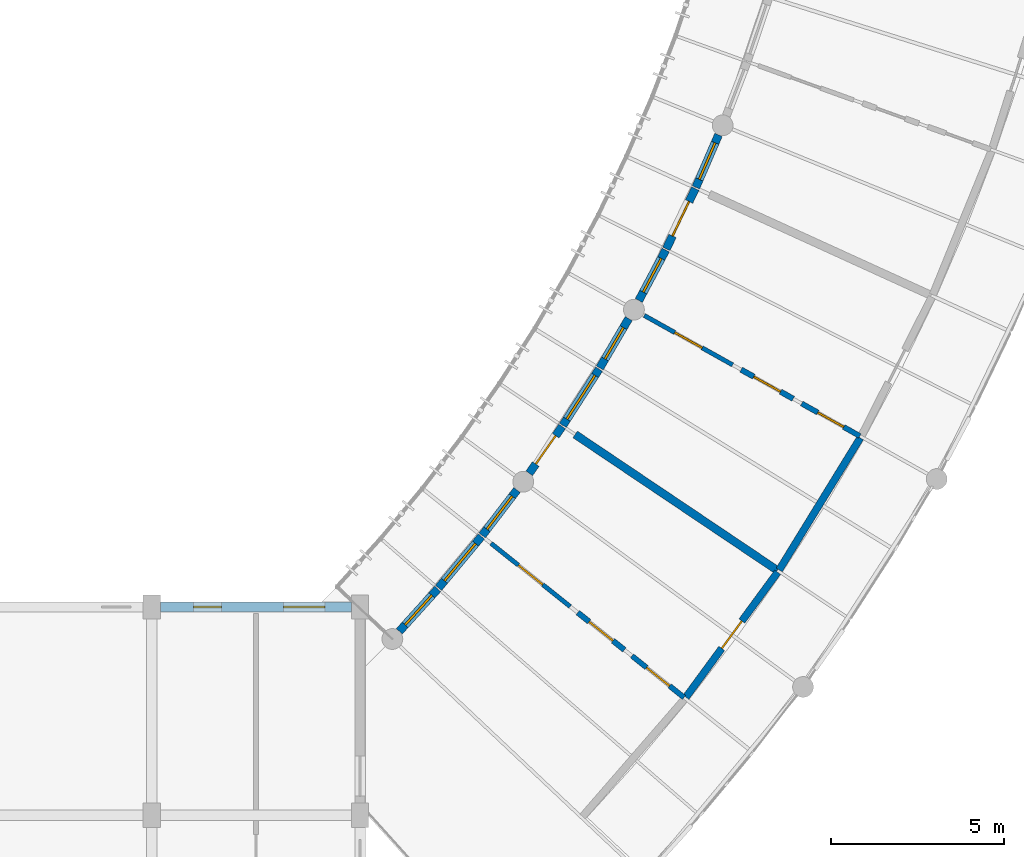
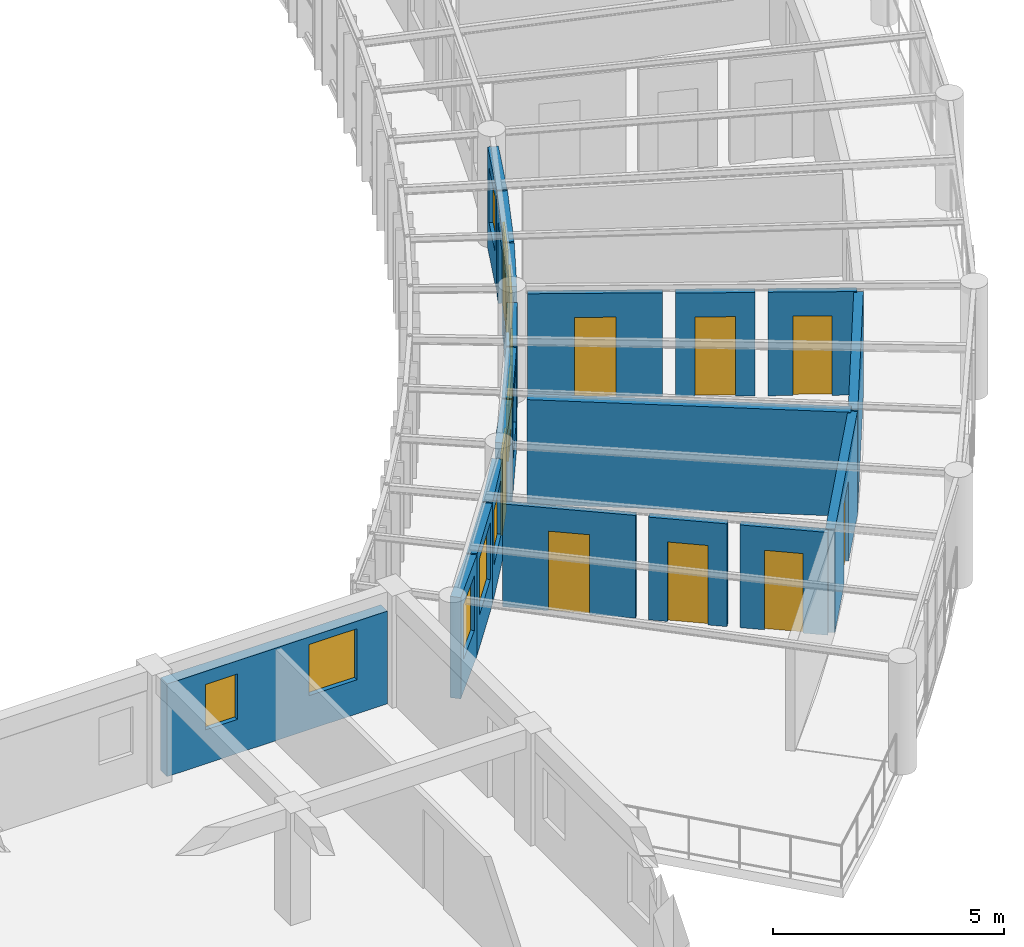
# One storey, part 60 of 101: 19 walls, 9 doors, 9 windows, 18 openings.
"""IFC4 building model written with IfcOpenShell, lengths in metres."""

from ifc_helpers import new_model, si_unit, direction, frame, frame_2d, origin, place, context, subcontext, project, spatial, rectangle, extrude, material, layer, layer_set, type_object, element, fill, save


model = new_model("IFC4")

# Units and contexts
model_context = context("Model", 3, precision=1e-05, world=origin(), true_north=direction((0.0, 1.0)))
body_context = subcontext(model_context, "Body", "Model", "MODEL_VIEW")
ifc_project = project(units=[si_unit("LENGTHUNIT", "METRE"), si_unit("AREAUNIT", "SQUARE_METRE"), si_unit("VOLUMEUNIT", "CUBIC_METRE"), si_unit("PLANEANGLEUNIT", "RADIAN"), si_unit("MASSUNIT", "GRAM", prefix="KILO"), si_unit("POWERUNIT", "WATT"), si_unit("THERMODYNAMICTEMPERATUREUNIT", "KELVIN")], contexts=[model_context])

# Site, building, storey
site_placement = place(None, origin())
site = spatial("IfcSite", under=ifc_project, at=site_placement, CompositionType="ELEMENT")
building_placement = place(site_placement, origin())
building = spatial("IfcBuilding", under=site, at=building_placement, Name="Ruvembo Vaulted Housing Court", CompositionType="ELEMENT")
storey_placement = place(building_placement, frame((0.0, 0.0, 17.300048828125)))
storey = spatial("IfcBuildingStorey", under=building, at=storey_placement, Name="L05", CompositionType="ELEMENT", Elevation=17.300048828125)

# Wall, opening, door
ifc_material_1 = material(Name="Concrete Blockwork 210", Category="masonry")
ifc_layer_1 = layer(ifc_material_1, 0.2099609375, Name="Concrete Blockwork 210")
ifc_layer_set_1 = layer_set([ifc_layer_1], Name="Concrete Blockwork 210")
wall_type_1 = type_object("IfcWallType", Name="WL-CORR-210", PredefinedType="SOLIDWALL", material=ifc_layer_set_1)
wall_1_placement = place(storey_placement, frame((45.392822265625, 39.400390625, 0.0), z_axis=(0.0, 0.0, 1.0), x_axis=(0.591475021239, 0.806323321783, 0.0)))
wall_1 = element("IfcWall", 1, at=wall_1_placement, inside=storey, type_object=wall_type_1, Name="L05 Suite SC1-L05-U1 Entrance WL-INT-L05-01579", PredefinedType="SOLIDWALL", context=body_context, shape_type="SweptSolid", body=[
    extrude(rectangle(XDim=4.467041015625, YDim=0.2099609375, at=frame_2d((2.2333984375, 0.0))), origin(), (0.0, 0.0, 1.0), 2.73388671875),
])
opening_1_placement = place(wall_1_placement, frame((1.743408203125, 0.0, 0.0)))
opening_1 = element("IfcOpeningElement", 2, at=opening_1_placement, cuts=wall_1, Name="Opening FD2", PredefinedType="OPENING", context=body_context, shape_type="SweptSolid", body=[
    extrude(rectangle(XDim=0.97998046875, YDim=2.14990234375, at=frame_2d((0.489990234375, 1.074951171875))), frame((0.0, 0.114990234375, 0.0), z_axis=(0.0, -1.0, 0.0), x_axis=(1.0, 0.0, 0.0)), (0.0, 0.0, 1.0), 0.22998046875),
])
ifc_material_2 = material(Name="FSC Hardwood and Engineered Timber", Category="wood")
door_type_1 = type_object("IfcDoorType", Name="DR-FLAT-0980x2150", OperationType="NOTDEFINED", PredefinedType="DOOR", material=ifc_material_2)
door_1_placement = place(opening_1_placement, origin())
door_1 = element("IfcDoor", 3, at=door_1_placement, inside=storey, type_object=door_type_1, Name="L05 Suite SC1-L05-U1 Entrance Door DR-INT-L05-00883", OperationType="SINGLE_SWING_LEFT", OverallHeight=2.14990234375, OverallWidth=0.97998046875, PredefinedType="DOOR", context=body_context, shape_type="SweptSolid", body=[
    extrude(rectangle(XDim=0.97998046875, YDim=2.14990234375, at=frame_2d((0.489990234375, 1.074951171875))), frame((0.0, 0.02490234375, 0.0), z_axis=(0.0, -1.0, 0.0), x_axis=(1.0, 0.0, 0.0)), (0.0, 0.0, 1.0), 0.050048828125),
])
fill(opening_1, door_1)

# Walls
wall_2_placement = place(storey_placement, frame((48.07958984375, 43.068603515625, 0.0), z_axis=(0.0, 0.0, 1.0), x_axis=(0.523444746739, 0.852059620632, 0.0)))
element("IfcWall", 4, at=wall_2_placement, inside=storey, type_object=wall_type_1, Name="L05 Suite SC1-L05-U2 Gallery Wall WL-INT-L05-01584", PredefinedType="SOLIDWALL", context=body_context, shape_type="SweptSolid", body=[
    extrude(rectangle(XDim=4.46728515625, YDim=0.2099609375, at=frame_2d((2.233642578125, 0.0))), origin(), (0.0, 0.0, 1.0), 2.7138671875),
])
ifc_material_3 = material(Name="Acoustic Masonry Demising 230", Category="masonry")
ifc_layer_2 = layer(ifc_material_3, 0.22998046875, Name="Acoustic Masonry Demising 230")
ifc_layer_set_2 = layer_set([ifc_layer_2], Name="Acoustic Masonry Demising 230")
wall_type_2 = type_object("IfcWallType", Name="WL-DEM-230", PredefinedType="SOLIDWALL", material=ifc_layer_set_2)
wall_3_placement = place(storey_placement, frame((42.19970703125, 46.9736328125, 0.0), z_axis=(0.0, 0.0, 1.0), x_axis=(0.82987699708, -0.55794638606, 0.0)))
element("IfcWall", 5, at=wall_3_placement, inside=storey, type_object=wall_type_2, Name="L05 Suite SC1-L05-U1 Demising WL-INT-L05-01583", PredefinedType="SOLIDWALL", context=body_context, shape_type="SweptSolid", body=[
    extrude(rectangle(XDim=7.02001953125, YDim=0.22998046875, at=frame_2d((3.510009765625, 0.0))), origin(), (0.0, 0.0, 1.0), 2.75390625),
])

# Wall, opening, window
ifc_material_4 = material(Name="Rendered Masonry 235", Category="masonry")
ifc_layer_3 = layer(ifc_material_4, 0.235107421875, Name="Rendered Masonry 235")
ifc_layer_set_3 = layer_set([ifc_layer_3], Name="Rendered Masonry 235")
wall_type_3 = type_object("IfcWallType", Name="WL-EXT-235", PredefinedType="STANDARD", material=ifc_layer_set_3)
wall_4_placement = place(storey_placement, frame((37.1318359375, 41.300537109375, 0.0), z_axis=(0.0, 0.0, 1.0), x_axis=(0.67078910291, 0.741648150687, 0.0)))
wall_4 = element("IfcWall", 6, at=wall_4_placement, inside=storey, type_object=wall_type_3, Name="Scoop SC1 L05 Concave Balcony Wall 0", PredefinedType="STANDARD", context=body_context, shape_type="SweptSolid", body=[
    extrude(rectangle(XDim=1.64697265625, YDim=0.235107421875, at=frame_2d((0.823486328125, 0.0))), origin(), (0.0, 0.0, 1.0), 2.676025390625),
])
opening_2_placement = place(wall_4_placement, frame((0.248291015625, 0.0, 0.85009765625)))
opening_2 = element("IfcOpeningElement", 7, at=opening_2_placement, cuts=wall_4, Name="Opening W11", PredefinedType="OPENING", context=body_context, shape_type="SweptSolid", body=[
    extrude(rectangle(XDim=1.14990234375, YDim=1.449951171875, at=frame_2d((0.574951171875, 0.72509765625))), frame((0.0, 0.12744140625, 0.0), z_axis=(0.0, -1.0, 0.0), x_axis=(1.0, 0.0, 0.0)), (0.0, 0.0, 1.0), 0.255126953125),
])
ifc_material_5 = material(Name="Double Solar-Control Glazing in Aluminium Frame", Category="aluminium")
window_type_1 = type_object("IfcWindowType", Name="WIN-1150x1450", PartitioningType="SINGLE_PANEL", PredefinedType="WINDOW", material=ifc_material_5)
window_1_placement = place(opening_2_placement, origin())
window_1 = element("IfcWindow", 8, at=window_1_placement, inside=storey, type_object=window_type_1, Name="Scoop SC1 L05 Concave Window 0", OverallHeight=1.449951171875, OverallWidth=1.14990234375, PartitioningType="SINGLE_PANEL", PredefinedType="WINDOW", context=body_context, shape_type="SweptSolid", body=[
    extrude(rectangle(XDim=1.14990234375, YDim=1.449951171875, at=frame_2d((0.574951171875, 0.72509765625))), frame((0.0, 0.030029296875, 0.0), z_axis=(0.0, -1.0, 0.0), x_axis=(1.0, 0.0, 0.0)), (0.0, 0.0, 1.0), 0.06005859375),
])
fill(opening_2, window_1)

wall_5_placement = place(storey_placement, frame((38.2626953125, 42.552001953125, 0.0), z_axis=(0.0, 0.0, 1.0), x_axis=(0.639872771242, 0.768480862887, 0.0)))
wall_5 = element("IfcWall", 9, at=wall_5_placement, inside=storey, type_object=wall_type_3, Name="Scoop SC1 L05 Concave Balcony Wall 1", PredefinedType="STANDARD", context=body_context, shape_type="SweptSolid", body=[
    extrude(rectangle(XDim=1.9267578125, YDim=0.235107421875, at=frame_2d((0.96337890625, 0.0))), origin(), (0.0, 0.0, 1.0), 2.676025390625),
])
opening_3_placement = place(wall_5_placement, frame((0.263427734375, 0.0, 0.85009765625)))
opening_3 = element("IfcOpeningElement", 10, at=opening_3_placement, cuts=wall_5, Name="Opening W17", PredefinedType="OPENING", context=body_context, shape_type="SweptSolid", body=[
    extrude(rectangle(XDim=1.39990234375, YDim=1.5, at=frame_2d((0.699951171875, 0.75))), frame((0.0, 0.12744140625, 0.0), z_axis=(0.0, -1.0, 0.0), x_axis=(1.0, 0.0, 0.0)), (0.0, 0.0, 1.0), 0.255126953125),
])
window_type_2 = type_object("IfcWindowType", Name="WIN-1400x1500", PartitioningType="SINGLE_PANEL", PredefinedType="WINDOW", material=ifc_material_5)
window_2_placement = place(opening_3_placement, origin())
window_2 = element("IfcWindow", 11, at=window_2_placement, inside=storey, type_object=window_type_2, Name="Scoop SC1 L05 Concave Window 1", OverallHeight=1.5, OverallWidth=1.39990234375, PartitioningType="SINGLE_PANEL", PredefinedType="WINDOW", context=body_context, shape_type="SweptSolid", body=[
    extrude(rectangle(XDim=1.39990234375, YDim=1.5, at=frame_2d((0.699951171875, 0.75))), frame((0.0, 0.030029296875, 0.0), z_axis=(0.0, -1.0, 0.0), x_axis=(1.0, 0.0, 0.0)), (0.0, 0.0, 1.0), 0.06005859375),
])
fill(opening_3, window_2)

wall_6_placement = place(storey_placement, frame((39.5205078125, 44.06396484375, 0.0), z_axis=(0.0, 0.0, 1.0), x_axis=(0.607846242362, 0.794054749779, 0.0)))
wall_6 = element("IfcWall", 12, at=wall_6_placement, inside=storey, type_object=wall_type_3, Name="Scoop SC1 L05 Concave Balcony Wall 2", PredefinedType="STANDARD", context=body_context, shape_type="SweptSolid", body=[
    extrude(rectangle(XDim=1.646728515625, YDim=0.235107421875, at=frame_2d((0.8232421875, 0.0))), origin(), (0.0, 0.0, 1.0), 2.676025390625),
])
opening_4_placement = place(wall_6_placement, frame((0.223388671875, 0.0, 0.85009765625)))
opening_4 = element("IfcOpeningElement", 13, at=opening_4_placement, cuts=wall_6, Name="Opening W13", PredefinedType="OPENING", context=body_context, shape_type="SweptSolid", body=[
    extrude(rectangle(XDim=1.199951171875, YDim=1.449951171875, at=frame_2d((0.60009765625, 0.72509765625))), frame((0.0, 0.12744140625, 0.0), z_axis=(0.0, -1.0, 0.0), x_axis=(1.0, 0.0, 0.0)), (0.0, 0.0, 1.0), 0.255126953125),
])
window_type_3 = type_object("IfcWindowType", Name="WIN-1200x1450", PartitioningType="SINGLE_PANEL", PredefinedType="WINDOW", material=ifc_material_5)
window_3_placement = place(opening_4_placement, origin())
window_3 = element("IfcWindow", 14, at=window_3_placement, inside=storey, type_object=window_type_3, Name="Scoop SC1 L05 Concave Window 2", OverallHeight=1.449951171875, OverallWidth=1.199951171875, PartitioningType="SINGLE_PANEL", PredefinedType="WINDOW", context=body_context, shape_type="SweptSolid", body=[
    extrude(rectangle(XDim=1.199951171875, YDim=1.449951171875, at=frame_2d((0.60009765625, 0.72509765625))), frame((0.0, 0.030029296875, 0.0), z_axis=(0.0, -1.0, 0.0), x_axis=(1.0, 0.0, 0.0)), (0.0, 0.0, 1.0), 0.06005859375),
])
fill(opening_4, window_3)

# Wall, opening, door
wall_7_placement = place(storey_placement, frame((40.87646484375, 45.855224609375, 0.0), z_axis=(0.0, 0.0, 1.0), x_axis=(0.574755063072, 0.818325496043, 0.0)))
wall_7 = element("IfcWall", 15, at=wall_7_placement, inside=storey, type_object=wall_type_3, Name="Scoop SC1 L05 Concave Balcony Wall 3", PredefinedType="STANDARD", context=body_context, shape_type="SweptSolid", body=[
    extrude(rectangle(XDim=1.646728515625, YDim=0.235107421875, at=frame_2d((0.8232421875, 0.0))), origin(), (0.0, 0.0, 1.0), 2.676025390625),
])
opening_5_placement = place(wall_7_placement, frame((0.323486328125, 0.0, 0.0)))
opening_5 = element("IfcOpeningElement", 16, at=opening_5_placement, cuts=wall_7, Name="Opening BD1", PredefinedType="OPENING", context=body_context, shape_type="SweptSolid", body=[
    extrude(rectangle(XDim=1.0, YDim=2.14990234375, at=frame_2d((0.5, 1.074951171875))), frame((0.0, 0.12744140625, 0.0), z_axis=(0.0, -1.0, 0.0), x_axis=(1.0, 0.0, 0.0)), (0.0, 0.0, 1.0), 0.255126953125),
])
ifc_material_6 = material(Name="Thermally Broken Glazed Aluminium", Category="aluminium")
door_type_2 = type_object("IfcDoorType", Name="DR-BAL-1000x2150", OperationType="NOTDEFINED", PredefinedType="DOOR", material=ifc_material_6)
door_2_placement = place(opening_5_placement, origin())
door_2 = element("IfcDoor", 17, at=door_2_placement, inside=storey, type_object=door_type_2, Name="Scoop SC1 L05 Balcony Door 3", OperationType="SINGLE_SWING_RIGHT", OverallHeight=2.14990234375, OverallWidth=1.0, PredefinedType="DOOR", context=body_context, shape_type="SweptSolid", body=[
    extrude(rectangle(XDim=1.0, YDim=2.14990234375, at=frame_2d((0.5, 1.074951171875))), frame((0.0, 0.02490234375, 0.0), z_axis=(0.0, -1.0, 0.0), x_axis=(1.0, 0.0, 0.0)), (0.0, 0.0, 1.0), 0.050048828125),
])
fill(opening_5, door_2)

# Wall, opening, window
wall_8_placement = place(storey_placement, frame((41.84521484375, 47.236083984375, 0.0), z_axis=(0.0, 0.0, 1.0), x_axis=(0.540911277163, 0.841079657486, 0.0)))
wall_8 = element("IfcWall", 18, at=wall_8_placement, inside=storey, type_object=wall_type_3, Name="Scoop SC1 L05 Concave Balcony Wall 4", PredefinedType="STANDARD", context=body_context, shape_type="SweptSolid", body=[
    extrude(rectangle(XDim=1.9267578125, YDim=0.235107421875, at=frame_2d((0.96337890625, 0.0))), origin(), (0.0, 0.0, 1.0), 2.676025390625),
])
opening_6_placement = place(wall_8_placement, frame((0.21337890625, 0.0, 0.85009765625)))
opening_6 = element("IfcOpeningElement", 19, at=opening_6_placement, cuts=wall_8, Name="Opening W19", PredefinedType="OPENING", context=body_context, shape_type="SweptSolid", body=[
    extrude(rectangle(XDim=1.5, YDim=1.5, at=frame_2d((0.75, 0.75))), frame((0.0, 0.12744140625, 0.0), z_axis=(0.0, -1.0, 0.0), x_axis=(1.0, 0.0, 0.0)), (0.0, 0.0, 1.0), 0.255126953125),
])
window_type_4 = type_object("IfcWindowType", Name="WIN-1500x1500", PartitioningType="SINGLE_PANEL", PredefinedType="WINDOW", material=ifc_material_5)
window_4_placement = place(opening_6_placement, origin())
window_4 = element("IfcWindow", 20, at=window_4_placement, inside=storey, type_object=window_type_4, Name="Scoop SC1 L05 Concave Window 4", OverallHeight=1.5, OverallWidth=1.5, PartitioningType="SINGLE_PANEL", PredefinedType="WINDOW", context=body_context, shape_type="SweptSolid", body=[
    extrude(rectangle(XDim=1.5, YDim=1.5, at=frame_2d((0.75, 0.75))), frame((0.0, 0.030029296875, 0.0), z_axis=(0.0, -1.0, 0.0), x_axis=(1.0, 0.0, 0.0)), (0.0, 0.0, 1.0), 0.06005859375),
])
fill(opening_6, window_4)

wall_9_placement = place(storey_placement, frame((42.908203125, 48.890869140625, 0.0), z_axis=(0.0, 0.0, 1.0), x_axis=(0.505879302059, 0.862604272971, 0.0)))
wall_9 = element("IfcWall", 21, at=wall_9_placement, inside=storey, type_object=wall_type_3, Name="Scoop SC1 L05 Concave Balcony Wall 5", PredefinedType="STANDARD", context=body_context, shape_type="SweptSolid", body=[
    extrude(rectangle(XDim=1.646728515625, YDim=0.235107421875, at=frame_2d((0.8232421875, 0.0))), origin(), (0.0, 0.0, 1.0), 2.676025390625),
])
opening_7_placement = place(wall_9_placement, frame((0.29833984375, 0.0, 0.85009765625)))
opening_7 = element("IfcOpeningElement", 22, at=opening_7_placement, cuts=wall_9, Name="Opening W09", PredefinedType="OPENING", context=body_context, shape_type="SweptSolid", body=[
    extrude(rectangle(XDim=1.050048828125, YDim=1.35009765625, at=frame_2d((0.52490234375, 0.675048828125))), frame((0.0, 0.12744140625, 0.0), z_axis=(0.0, -1.0, 0.0), x_axis=(1.0, 0.0, 0.0)), (0.0, 0.0, 1.0), 0.255126953125),
])
window_type_5 = type_object("IfcWindowType", Name="WIN-1050x1350", PartitioningType="SINGLE_PANEL", PredefinedType="WINDOW", material=ifc_material_5)
window_5_placement = place(opening_7_placement, origin())
window_5 = element("IfcWindow", 23, at=window_5_placement, inside=storey, type_object=window_type_5, Name="Scoop SC1 L05 Concave Window 5", OverallHeight=1.35009765625, OverallWidth=1.050048828125, PartitioningType="SINGLE_PANEL", PredefinedType="WINDOW", context=body_context, shape_type="SweptSolid", body=[
    extrude(rectangle(XDim=1.050048828125, YDim=1.35009765625, at=frame_2d((0.52490234375, 0.675048828125))), frame((0.0, 0.030029296875, 0.0), z_axis=(0.0, -1.0, 0.0), x_axis=(1.0, 0.0, 0.0)), (0.0, 0.0, 1.0), 0.06005859375),
])
fill(opening_7, window_5)

wall_10_placement = place(storey_placement, frame((44.0341796875, 50.834716796875, 0.0), z_axis=(0.0, 0.0, 1.0), x_axis=(0.470134157171, 0.882594966143, 0.0)))
wall_10 = element("IfcWall", 24, at=wall_10_placement, inside=storey, type_object=wall_type_3, Name="Scoop SC1 L05 Concave Balcony Wall 6", PredefinedType="STANDARD", context=body_context, shape_type="SweptSolid", body=[
    extrude(rectangle(XDim=1.646728515625, YDim=0.235107421875, at=frame_2d((0.8232421875, 0.0))), origin(), (0.0, 0.0, 1.0), 2.676025390625),
])
opening_8_placement = place(wall_10_placement, frame((0.2734375, 0.0, 0.85009765625)))
opening_8 = element("IfcOpeningElement", 25, at=opening_8_placement, cuts=wall_10, Name="Opening W10", PredefinedType="OPENING", context=body_context, shape_type="SweptSolid", body=[
    extrude(rectangle(XDim=1.10009765625, YDim=1.449951171875, at=frame_2d((0.550048828125, 0.72509765625))), frame((0.0, 0.12744140625, 0.0), z_axis=(0.0, -1.0, 0.0), x_axis=(1.0, 0.0, 0.0)), (0.0, 0.0, 1.0), 0.255126953125),
])
window_type_6 = type_object("IfcWindowType", Name="WIN-1100x1450", PartitioningType="SINGLE_PANEL", PredefinedType="WINDOW", material=ifc_material_5)
window_6_placement = place(opening_8_placement, origin())
window_6 = element("IfcWindow", 26, at=window_6_placement, inside=storey, type_object=window_type_6, Name="Scoop SC1 L05 Concave Window 6", OverallHeight=1.449951171875, OverallWidth=1.10009765625, PartitioningType="SINGLE_PANEL", PredefinedType="WINDOW", context=body_context, shape_type="SweptSolid", body=[
    extrude(rectangle(XDim=1.10009765625, YDim=1.449951171875, at=frame_2d((0.550048828125, 0.72509765625))), frame((0.0, 0.030029296875, 0.0), z_axis=(0.0, -1.0, 0.0), x_axis=(1.0, 0.0, 0.0)), (0.0, 0.0, 1.0), 0.06005859375),
])
fill(opening_8, window_6)

# Wall, opening, door
wall_11_placement = place(storey_placement, frame((44.826416015625, 52.323974609375, 0.0), z_axis=(0.0, 0.0, 1.0), x_axis=(0.433579410465, 0.90111536155, 0.0)))
wall_11 = element("IfcWall", 27, at=wall_11_placement, inside=storey, type_object=wall_type_3, Name="Scoop SC1 L05 Concave Balcony Wall 7", PredefinedType="STANDARD", context=body_context, shape_type="SweptSolid", body=[
    extrude(rectangle(XDim=1.9267578125, YDim=0.235107421875, at=frame_2d((0.96337890625, 0.0))), origin(), (0.0, 0.0, 1.0), 2.676025390625),
])
opening_9_placement = place(wall_11_placement, frame((0.413330078125, 0.0, 0.0)))
opening_9 = element("IfcOpeningElement", 28, at=opening_9_placement, cuts=wall_11, Name="Opening BD3", PredefinedType="OPENING", context=body_context, shape_type="SweptSolid", body=[
    extrude(rectangle(XDim=1.10009765625, YDim=2.14990234375, at=frame_2d((0.550048828125, 1.074951171875))), frame((0.0, 0.12744140625, 0.0), z_axis=(0.0, -1.0, 0.0), x_axis=(1.0, 0.0, 0.0)), (0.0, 0.0, 1.0), 0.255126953125),
])
door_type_3 = type_object("IfcDoorType", Name="DR-BAL-1100x2150", OperationType="NOTDEFINED", PredefinedType="DOOR", material=ifc_material_6)
door_3_placement = place(opening_9_placement, origin())
door_3 = element("IfcDoor", 29, at=door_3_placement, inside=storey, type_object=door_type_3, Name="Scoop SC1 L05 Balcony Door 7", OperationType="SINGLE_SWING_LEFT", OverallHeight=2.14990234375, OverallWidth=1.10009765625, PredefinedType="DOOR", context=body_context, shape_type="SweptSolid", body=[
    extrude(rectangle(XDim=1.10009765625, YDim=2.14990234375, at=frame_2d((0.550048828125, 1.074951171875))), frame((0.0, 0.02490234375, 0.0), z_axis=(0.0, -1.0, 0.0), x_axis=(1.0, 0.0, 0.0)), (0.0, 0.0, 1.0), 0.050048828125),
])
fill(opening_9, door_3)

# Wall, opening, window
wall_12_placement = place(storey_placement, frame((45.678466796875, 54.0966796875, 0.0), z_axis=(0.0, 0.0, 1.0), x_axis=(0.396333765494, 0.918106500538, 0.0)))
wall_12 = element("IfcWall", 30, at=wall_12_placement, inside=storey, type_object=wall_type_3, Name="Scoop SC1 L05 Concave Balcony Wall 8", PredefinedType="STANDARD", context=body_context, shape_type="SweptSolid", body=[
    extrude(rectangle(XDim=1.646484375, YDim=0.235107421875, at=frame_2d((0.8232421875, 0.0))), origin(), (0.0, 0.0, 1.0), 2.676025390625),
])
opening_10_placement = place(wall_12_placement, frame((0.248291015625, 0.0, 0.85009765625)))
opening_10 = element("IfcOpeningElement", 31, at=opening_10_placement, cuts=wall_12, Name="Opening W11", PredefinedType="OPENING", context=body_context, shape_type="SweptSolid", body=[
    extrude(rectangle(XDim=1.14990234375, YDim=1.449951171875, at=frame_2d((0.574951171875, 0.72509765625))), frame((0.0, 0.12744140625, 0.0), z_axis=(0.0, -1.0, 0.0), x_axis=(1.0, 0.0, 0.0)), (0.0, 0.0, 1.0), 0.255126953125),
])
window_7_placement = place(opening_10_placement, origin())
window_7 = element("IfcWindow", 32, at=window_7_placement, inside=storey, type_object=window_type_1, Name="Scoop SC1 L05 Concave Window 8", OverallHeight=1.449951171875, OverallWidth=1.14990234375, PartitioningType="SINGLE_PANEL", PredefinedType="WINDOW", context=body_context, shape_type="SweptSolid", body=[
    extrude(rectangle(XDim=1.14990234375, YDim=1.449951171875, at=frame_2d((0.574951171875, 0.72509765625))), frame((0.0, 0.030029296875, 0.0), z_axis=(0.0, -1.0, 0.0), x_axis=(1.0, 0.0, 0.0)), (0.0, 0.0, 1.0), 0.06005859375),
])
fill(opening_10, window_7)

# Wall, openings, windows
ifc_material_7 = material(Name="Rendered Masonry 285", Category="masonry")
ifc_layer_4 = layer(ifc_material_7, 0.284912109375, Name="Rendered Masonry 285")
ifc_layer_set_4 = layer_set([ifc_layer_4], Name="Rendered Masonry 285")
wall_type_4 = type_object("IfcWallType", Name="WL-EXT-285", PredefinedType="STANDARD", material=ifc_layer_set_4)
wall_13_placement = place(storey_placement, frame((35.75, 42.0, 0.0), z_axis=(0.0, 0.0, 1.0), x_axis=(-1.0, 0.0, 0.0)))
wall_13 = element("IfcWall", 33, at=wall_13_placement, inside=storey, type_object=wall_type_4, Name="Block A L05 Exterior Wall COURTYARD #1", PredefinedType="STANDARD", context=body_context, shape_type="SweptSolid", body=[
    extrude(rectangle(XDim=5.5, YDim=0.284912109375, at=frame_2d((2.75, 0.0))), origin(), (0.0, 0.0, 1.0), 2.447021484375),
])
opening_11_placement = place(wall_13_placement, frame((0.7548828125, 0.0, 0.89990234375)))
opening_11 = element("IfcOpeningElement", 34, at=opening_11_placement, cuts=wall_13, Name="Opening W12", PredefinedType="OPENING", context=body_context, shape_type="SweptSolid", body=[
    extrude(rectangle(XDim=1.199951171875, YDim=1.35009765625, at=frame_2d((0.60009765625, 0.675048828125))), frame((0.0, 0.15234375, 0.0), z_axis=(0.0, -1.0, 0.0), x_axis=(1.0, 0.0, 0.0)), (0.0, 0.0, 1.0), 0.304931640625),
])
opening_12_placement = place(wall_13_placement, frame((3.7451171875, 0.0, 0.89990234375)))
opening_12 = element("IfcOpeningElement", 35, at=opening_12_placement, cuts=wall_13, Name="Opening W02", PredefinedType="OPENING", context=body_context, shape_type="SweptSolid", body=[
    extrude(rectangle(XDim=0.800048828125, YDim=1.199951171875, at=frame_2d((0.39990234375, 0.60009765625))), frame((0.0, 0.15234375, 0.0), z_axis=(0.0, -1.0, 0.0), x_axis=(1.0, 0.0, 0.0)), (0.0, 0.0, 1.0), 0.304931640625),
])
window_type_7 = type_object("IfcWindowType", Name="WIN-0800x1200", PartitioningType="SINGLE_PANEL", PredefinedType="WINDOW", material=ifc_material_5)
window_8_placement = place(opening_12_placement, origin())
window_8 = element("IfcWindow", 36, at=window_8_placement, inside=storey, type_object=window_type_7, Name="Block A L05 Window #228", OverallHeight=1.199951171875, OverallWidth=0.800048828125, PartitioningType="SINGLE_PANEL", PredefinedType="WINDOW", context=body_context, shape_type="SweptSolid", body=[
    extrude(rectangle(XDim=0.800048828125, YDim=1.199951171875, at=frame_2d((0.39990234375, 0.60009765625))), frame((0.0, 0.030029296875, 0.0), z_axis=(0.0, -1.0, 0.0), x_axis=(1.0, 0.0, 0.0)), (0.0, 0.0, 1.0), 0.06005859375),
])
fill(opening_12, window_8)
window_type_8 = type_object("IfcWindowType", Name="WIN-1200x1350", PartitioningType="SINGLE_PANEL", PredefinedType="WINDOW", material=ifc_material_5)
window_9_placement = place(opening_11_placement, origin())
window_9 = element("IfcWindow", 37, at=window_9_placement, inside=storey, type_object=window_type_8, Name="Block A L05 Window #227", OverallHeight=1.35009765625, OverallWidth=1.199951171875, PartitioningType="SINGLE_PANEL", PredefinedType="WINDOW", context=body_context, shape_type="SweptSolid", body=[
    extrude(rectangle(XDim=1.199951171875, YDim=1.35009765625, at=frame_2d((0.60009765625, 0.675048828125))), frame((0.0, 0.030029296875, 0.0), z_axis=(0.0, -1.0, 0.0), x_axis=(1.0, 0.0, 0.0)), (0.0, 0.0, 1.0), 0.06005859375),
])
fill(opening_11, window_9)

# Wall, opening, door
ifc_material_8 = material(Name="Plasterboard Stud Partition 125", Category="gypsum")
ifc_layer_5 = layer(ifc_material_8, 0.125, Name="Plasterboard Stud Partition 125")
ifc_layer_set_5 = layer_set([ifc_layer_5], Name="Plasterboard Stud Partition 125")
wall_type_5 = type_object("IfcWallType", Name="WL-PART-125", PredefinedType="PARTITIONING", material=ifc_layer_set_5)
wall_14_placement = place(storey_placement, frame((39.774169921875, 43.8359375, 0.0), z_axis=(0.0, 0.0, 1.0), x_axis=(0.781431339385, -0.623991235377, 0.0)))
wall_14 = element("IfcWall", 38, at=wall_14_placement, inside=storey, type_object=wall_type_5, Name="L05 Suite SC1-L05-U1 Bedroom WL-INT-L05-01580", PredefinedType="PARTITIONING", context=body_context, shape_type="SweptSolid", body=[
    extrude(rectangle(XDim=2.919921875, YDim=0.125, at=frame_2d((1.4599609375, 0.0))), origin(), (0.0, 0.0, 1.0), 2.7138671875),
])
opening_13_placement = place(wall_14_placement, frame((1.010009765625, 0.0, 0.0)))
opening_13 = element("IfcOpeningElement", 39, at=opening_13_placement, cuts=wall_14, Name="Opening ID1", PredefinedType="OPENING", context=body_context, shape_type="SweptSolid", body=[
    extrude(rectangle(XDim=0.89990234375, YDim=2.10009765625, at=frame_2d((0.449951171875, 1.050048828125))), frame((0.0, 0.072509765625, 0.0), z_axis=(0.0, -1.0, 0.0), x_axis=(1.0, 0.0, 0.0)), (0.0, 0.0, 1.0), 0.14501953125),
])
door_type_4 = type_object("IfcDoorType", Name="DR-ROOM-0900x2100", OperationType="NOTDEFINED", PredefinedType="DOOR", material=ifc_material_2)
door_4_placement = place(opening_13_placement, origin())
door_4 = element("IfcDoor", 40, at=door_4_placement, inside=storey, type_object=door_type_4, Name="L05 Suite SC1-L05-U1 Bedroom Door DR-INT-L05-00884", OperationType="SINGLE_SWING_RIGHT", OverallHeight=2.10009765625, OverallWidth=0.89990234375, PredefinedType="DOOR", context=body_context, shape_type="SweptSolid", body=[
    extrude(rectangle(XDim=0.89990234375, YDim=2.10009765625, at=frame_2d((0.449951171875, 1.050048828125))), frame((0.0, 0.02490234375, 0.0), z_axis=(0.0, -1.0, 0.0), x_axis=(1.0, 0.0, 0.0)), (0.0, 0.0, 1.0), 0.050048828125),
])
fill(opening_13, door_4)

wall_15_placement = place(storey_placement, frame((44.189697265625, 50.404052734375, 0.0), z_axis=(0.0, 0.0, 1.0), x_axis=(0.872785313841, -0.488104287978, 0.0)))
wall_15 = element("IfcWall", 41, at=wall_15_placement, inside=storey, type_object=wall_type_5, Name="L05 Suite SC1-L05-U2 Bedroom WL-INT-L05-01586", PredefinedType="PARTITIONING", context=body_context, shape_type="SweptSolid", body=[
    extrude(rectangle(XDim=2.920166015625, YDim=0.125, at=frame_2d((1.4599609375, 0.0))), origin(), (0.0, 0.0, 1.0), 2.73388671875),
])
opening_14_placement = place(wall_15_placement, frame((1.010009765625, 0.0, 0.0)))
opening_14 = element("IfcOpeningElement", 42, at=opening_14_placement, cuts=wall_15, Name="Opening ID1", PredefinedType="OPENING", context=body_context, shape_type="SweptSolid", body=[
    extrude(rectangle(XDim=0.89990234375, YDim=2.10009765625, at=frame_2d((0.449951171875, 1.050048828125))), frame((0.0, 0.072509765625, 0.0), z_axis=(0.0, -1.0, 0.0), x_axis=(1.0, 0.0, 0.0)), (0.0, 0.0, 1.0), 0.14501953125),
])
door_5_placement = place(opening_14_placement, origin())
door_5 = element("IfcDoor", 43, at=door_5_placement, inside=storey, type_object=door_type_4, Name="L05 Suite SC1-L05-U2 Bedroom Door DR-INT-L05-00888", OperationType="SINGLE_SWING_RIGHT", OverallHeight=2.10009765625, OverallWidth=0.89990234375, PredefinedType="DOOR", context=body_context, shape_type="SweptSolid", body=[
    extrude(rectangle(XDim=0.89990234375, YDim=2.10009765625, at=frame_2d((0.449951171875, 1.050048828125))), frame((0.0, 0.02490234375, 0.0), z_axis=(0.0, -1.0, 0.0), x_axis=(1.0, 0.0, 0.0)), (0.0, 0.0, 1.0), 0.050048828125),
])
fill(opening_14, door_5)

ifc_material_9 = material(Name="Moisture-Resistant Wet Partition 150", Category="gypsum")
ifc_layer_6 = layer(ifc_material_9, 0.14990234375, Name="Moisture-Resistant Wet Partition 150")
ifc_layer_set_6 = layer_set([ifc_layer_6], Name="Moisture-Resistant Wet Partition 150")
wall_type_6 = type_object("IfcWallType", Name="WL-PART-150", PredefinedType="PARTITIONING", material=ifc_layer_set_6)
wall_16_placement = place(storey_placement, frame((43.837646484375, 40.591064453125, 0.0), z_axis=(0.0, 0.0, 1.0), x_axis=(0.781426781444, -0.623996943295, 0.0)))
wall_16 = element("IfcWall", 44, at=wall_16_placement, inside=storey, type_object=wall_type_6, Name="L05 Suite SC1-L05-U1 Bathroom WL-INT-L05-01582", PredefinedType="PARTITIONING", context=body_context, shape_type="SweptSolid", body=[
    extrude(rectangle(XDim=1.919921875, YDim=0.14990234375, at=frame_2d((0.9599609375, 0.0))), origin(), (0.0, 0.0, 1.0), 2.7138671875),
])
opening_15_placement = place(wall_16_placement, frame((0.534912109375, 0.0, 0.0)))
opening_15 = element("IfcOpeningElement", 45, at=opening_15_placement, cuts=wall_16, Name="Opening ID2", PredefinedType="OPENING", context=body_context, shape_type="SweptSolid", body=[
    extrude(rectangle(XDim=0.85009765625, YDim=2.10009765625, at=frame_2d((0.425048828125, 1.050048828125))), frame((0.0, 0.0849609375, 0.0), z_axis=(0.0, -1.0, 0.0), x_axis=(1.0, 0.0, 0.0)), (0.0, 0.0, 1.0), 0.169921875),
])
door_type_5 = type_object("IfcDoorType", Name="DR-WET-0850x2100", OperationType="NOTDEFINED", PredefinedType="DOOR", material=ifc_material_2)
door_6_placement = place(opening_15_placement, origin())
door_6 = element("IfcDoor", 46, at=door_6_placement, inside=storey, type_object=door_type_5, Name="L05 Suite SC1-L05-U1 Bathroom Door DR-INT-L05-00886", OperationType="SINGLE_SWING_RIGHT", OverallHeight=2.10009765625, OverallWidth=0.85009765625, PredefinedType="DOOR", context=body_context, shape_type="SweptSolid", body=[
    extrude(rectangle(XDim=0.85009765625, YDim=2.10009765625, at=frame_2d((0.425048828125, 1.050048828125))), frame((0.0, 0.02490234375, 0.0), z_axis=(0.0, -1.0, 0.0), x_axis=(1.0, 0.0, 0.0)), (0.0, 0.0, 1.0), 0.050048828125),
])
fill(opening_15, door_6)

wall_17_placement = place(storey_placement, frame((48.728271484375, 47.86572265625, 0.0), z_axis=(0.0, 0.0, 1.0), x_axis=(0.8728224149, -0.488037941198, 0.0)))
wall_17 = element("IfcWall", 47, at=wall_17_placement, inside=storey, type_object=wall_type_6, Name="L05 Suite SC1-L05-U2 Bathroom WL-INT-L05-01588", PredefinedType="PARTITIONING", context=body_context, shape_type="SweptSolid", body=[
    extrude(rectangle(XDim=1.919921875, YDim=0.14990234375, at=frame_2d((0.9599609375, 0.0))), origin(), (0.0, 0.0, 1.0), 2.73388671875),
])
opening_16_placement = place(wall_17_placement, frame((0.534912109375, 0.0, 0.0)))
opening_16 = element("IfcOpeningElement", 48, at=opening_16_placement, cuts=wall_17, Name="Opening ID2", PredefinedType="OPENING", context=body_context, shape_type="SweptSolid", body=[
    extrude(rectangle(XDim=0.85009765625, YDim=2.10009765625, at=frame_2d((0.425048828125, 1.050048828125))), frame((0.0, 0.0849609375, 0.0), z_axis=(0.0, -1.0, 0.0), x_axis=(1.0, 0.0, 0.0)), (0.0, 0.0, 1.0), 0.169921875),
])
door_7_placement = place(opening_16_placement, origin())
door_7 = element("IfcDoor", 49, at=door_7_placement, inside=storey, type_object=door_type_5, Name="L05 Suite SC1-L05-U2 Bathroom Door DR-INT-L05-00890", OperationType="SINGLE_SWING_RIGHT", OverallHeight=2.10009765625, OverallWidth=0.85009765625, PredefinedType="DOOR", context=body_context, shape_type="SweptSolid", body=[
    extrude(rectangle(XDim=0.85009765625, YDim=2.10009765625, at=frame_2d((0.425048828125, 1.050048828125))), frame((0.0, 0.02490234375, 0.0), z_axis=(0.0, -1.0, 0.0), x_axis=(1.0, 0.0, 0.0)), (0.0, 0.0, 1.0), 0.050048828125),
])
fill(opening_16, door_7)

ifc_material_10 = material(Name="Acoustic Service Chase Wall 160", Category="gypsum")
ifc_layer_7 = layer(ifc_material_10, 0.159912109375, Name="Acoustic Service Chase Wall 160")
ifc_layer_set_7 = layer_set([ifc_layer_7], Name="Acoustic Service Chase Wall 160")
wall_type_7 = type_object("IfcWallType", Name="WL-PLUMB-160", PredefinedType="PLUMBINGWALL", material=ifc_layer_set_7)
wall_18_placement = place(storey_placement, frame((42.274658203125, 41.839111328125, 0.0), z_axis=(0.0, 0.0, 1.0), x_axis=(0.781422444937, -0.624002373832, 0.0)))
wall_18 = element("IfcWall", 50, at=wall_18_placement, inside=storey, type_object=wall_type_7, Name="L05 Suite SC1-L05-U1 Kitchen WL-INT-L05-01581", PredefinedType="PLUMBINGWALL", context=body_context, shape_type="SweptSolid", body=[
    extrude(rectangle(XDim=1.719970703125, YDim=0.159912109375, at=frame_2d((0.85986328125, 0.0))), origin(), (0.0, 0.0, 1.0), 2.7138671875),
])
opening_17_placement = place(wall_18_placement, frame((0.419921875, 0.0, 0.0)))
opening_17 = element("IfcOpeningElement", 51, at=opening_17_placement, cuts=wall_18, Name="Opening ID3", PredefinedType="OPENING", context=body_context, shape_type="SweptSolid", body=[
    extrude(rectangle(XDim=0.8798828125, YDim=2.10009765625, at=frame_2d((0.43994140625, 1.050048828125))), frame((0.0, 0.08984375, 0.0), z_axis=(0.0, -1.0, 0.0), x_axis=(1.0, 0.0, 0.0)), (0.0, 0.0, 1.0), 0.179931640625),
])
door_type_6 = type_object("IfcDoorType", Name="DR-ROOM-0880x2100", OperationType="NOTDEFINED", PredefinedType="DOOR", material=ifc_material_2)
door_8_placement = place(opening_17_placement, origin())
door_8 = element("IfcDoor", 52, at=door_8_placement, inside=storey, type_object=door_type_6, Name="L05 Suite SC1-L05-U1 Kitchen Door DR-INT-L05-00885", OperationType="SINGLE_SWING_LEFT", OverallHeight=2.10009765625, OverallWidth=0.8798828125, PredefinedType="DOOR", context=body_context, shape_type="SweptSolid", body=[
    extrude(rectangle(XDim=0.8798828125, YDim=2.10009765625, at=frame_2d((0.43994140625, 1.050048828125))), frame((0.0, 0.02490234375, 0.0), z_axis=(0.0, -1.0, 0.0), x_axis=(1.0, 0.0, 0.0)), (0.0, 0.0, 1.0), 0.050048828125),
])
fill(opening_17, door_8)

wall_19_placement = place(storey_placement, frame((46.982666015625, 48.842041015625, 0.0), z_axis=(0.0, 0.0, 1.0), x_axis=(0.872774545553, -0.48812354239, 0.0)))
wall_19 = element("IfcWall", 53, at=wall_19_placement, inside=storey, type_object=wall_type_7, Name="L05 Suite SC1-L05-U2 Kitchen WL-INT-L05-01587", PredefinedType="PLUMBINGWALL", context=body_context, shape_type="SweptSolid", body=[
    extrude(rectangle(XDim=1.719970703125, YDim=0.159912109375, at=frame_2d((0.85986328125, 0.0))), origin(), (0.0, 0.0, 1.0), 2.73388671875),
])
opening_18_placement = place(wall_19_placement, frame((0.419921875, 0.0, 0.0)))
opening_18 = element("IfcOpeningElement", 54, at=opening_18_placement, cuts=wall_19, Name="Opening ID3", PredefinedType="OPENING", context=body_context, shape_type="SweptSolid", body=[
    extrude(rectangle(XDim=0.8798828125, YDim=2.10009765625, at=frame_2d((0.43994140625, 1.050048828125))), frame((0.0, 0.08984375, 0.0), z_axis=(0.0, -1.0, 0.0), x_axis=(1.0, 0.0, 0.0)), (0.0, 0.0, 1.0), 0.179931640625),
])
door_9_placement = place(opening_18_placement, origin())
door_9 = element("IfcDoor", 55, at=door_9_placement, inside=storey, type_object=door_type_6, Name="L05 Suite SC1-L05-U2 Kitchen Door DR-INT-L05-00889", OperationType="SINGLE_SWING_LEFT", OverallHeight=2.10009765625, OverallWidth=0.8798828125, PredefinedType="DOOR", context=body_context, shape_type="SweptSolid", body=[
    extrude(rectangle(XDim=0.8798828125, YDim=2.10009765625, at=frame_2d((0.43994140625, 1.050048828125))), frame((0.0, 0.02490234375, 0.0), z_axis=(0.0, -1.0, 0.0), x_axis=(1.0, 0.0, 0.0)), (0.0, 0.0, 1.0), 0.050048828125),
])
fill(opening_18, door_9)

save(model, "model.ifc")
